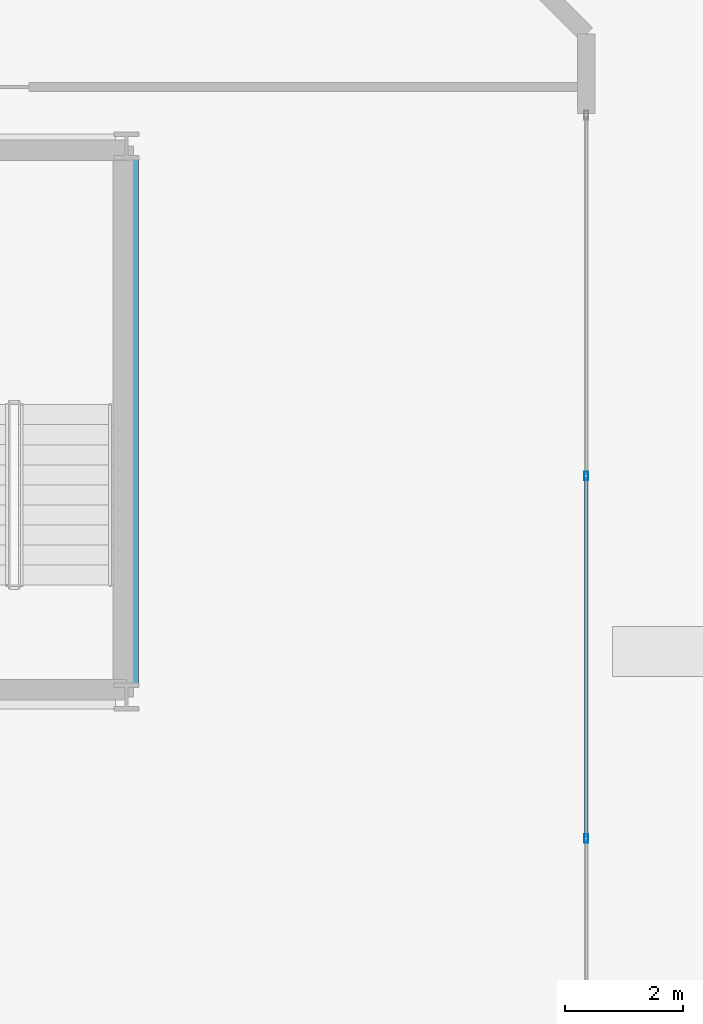
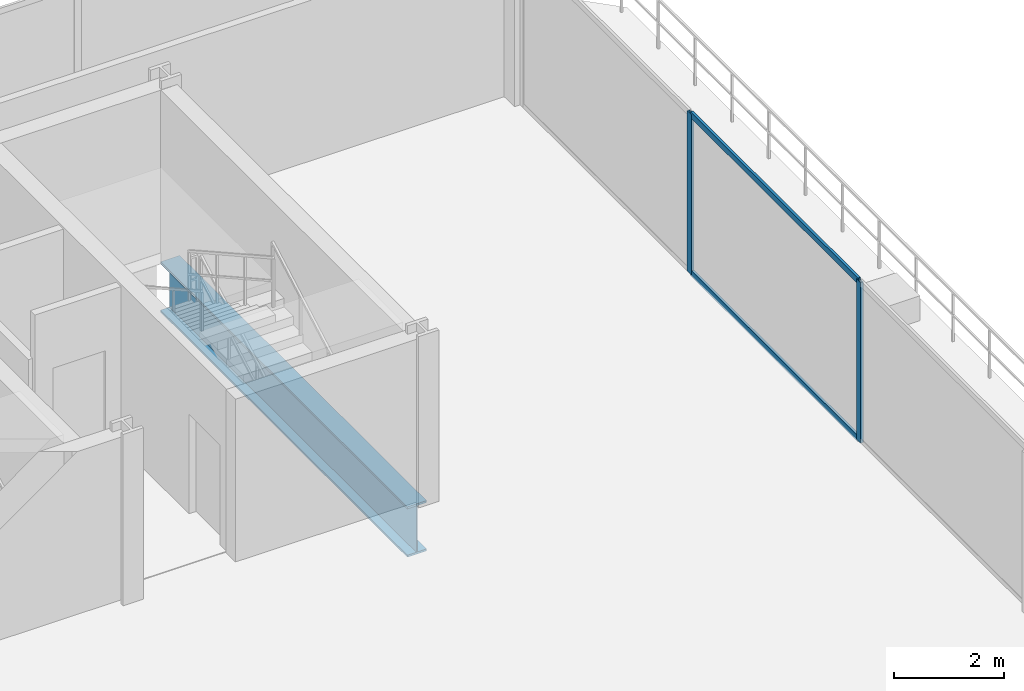
# One storey, part 7 of 16: 4 members, 1 beam, 1 element without a shape of its own.
"""IFC4 building model written with IfcOpenShell, lengths in metres."""

from ifc_helpers import new_model, si_unit, direction, frame, origin, origin_2d, place, context, subcontext, project, spatial, hollow_rectangle, i_section, extrude, material, layer, layer_set, material_profile, profile_set, type_object, element, aggregate, save


model = new_model("IFC4")

# Units and contexts
model_context = context("Model", 3, precision=1e-05, world=origin(), true_north=direction((0.0, 1.0)))
body_context = subcontext(model_context, "Body", "Model", "MODEL_VIEW")
ifc_project = project(units=[si_unit("LENGTHUNIT", "METRE"), si_unit("AREAUNIT", "SQUARE_METRE"), si_unit("VOLUMEUNIT", "CUBIC_METRE"), si_unit("PLANEANGLEUNIT", "RADIAN"), si_unit("MASSUNIT", "GRAM", prefix="KILO")], contexts=[model_context])

# Site, building, storey
site_placement = place(None, origin())
site = spatial("IfcSite", under=ifc_project, at=site_placement, CompositionType="ELEMENT")
building_placement = place(site_placement, origin())
building = spatial("IfcBuilding", under=site, at=building_placement, Name="Zuhayl Quay Hotel", CompositionType="ELEMENT")
storey_placement = place(building_placement, frame((0.0, 0.0, 308.64990234375)))
storey = spatial("IfcBuildingStorey", under=building, at=storey_placement, Name="Crown 4", CompositionType="ELEMENT", Elevation=308.64990234375)

# Beam
ifc_material_1 = material(Name="Steel ASTM A913 Grade 65", Category="steel")
ifc_material_profile_1 = material_profile(ifc_material_1, i_section(OverallWidth=0.404052734375, OverallDepth=1.117919921875, WebThickness=0.026123046875, FlangeThickness=0.044921875, at=origin_2d()), Name="W44X335")
ifc_profile_set_1 = profile_set([ifc_material_profile_1], Name="Steel ASTM A913 Grade 65")
beam_type = type_object("IfcBeamType", Name="BM_TG1_W44X335", PredefinedType="BEAM", material=ifc_profile_set_1)
beam_placement = place(storey_placement, frame((1.60009765625, 25.2900390625, -0.798828125), z_axis=(0.0, 1.0, 0.0), x_axis=(-1.0, 0.0, 0.0)))
element("IfcBeam", 1, at=beam_placement, inside=storey, type_object=beam_type, Name="Crown 4 Floor Beam CR_NS_4_3", PredefinedType="BEAM", context=body_context, shape_type="SweptSolid", body=[
    extrude(i_section(OverallWidth=0.404052734375, OverallDepth=1.117919921875, WebThickness=0.026123046875, FlangeThickness=0.044921875, at=origin_2d()), origin(), (0.0, 0.0, 1.0), 8.969970703125),
])

# Curtain wall, members
ifc_material_2 = material(Name="Anodised Aluminium 6063-T6", Category="aluminium")
ifc_layer = layer(ifc_material_2, 0.159912109375, Name="Anodised Aluminium 6063-T6", Category="aluminium")
ifc_layer_set = layer_set([ifc_layer], Name="Anodised Aluminium 6063-T6")
curtain_wall_type = type_object("IfcCurtainWallType", Name="CW_SYS_CRN", PredefinedType="USERDEFINED", material=ifc_layer_set)
curtain_wall_placement = place(storey_placement, origin())
curtain_wall = element("IfcCurtainWall", 2, at=curtain_wall_placement, inside=storey, type_object=curtain_wall_type, Name="Crown 4 Curtain Wall ENV_CR4_E5_CW1", ObjectType="UNITISED CURTAIN WALL", PredefinedType="USERDEFINED")
ifc_material_3 = material(Name="Black-anodised aluminium 6063-T6", Category="aluminium")
ifc_material_profile_2 = material_profile(ifc_material_3, hollow_rectangle(XDim=0.06005859375, YDim=0.14990234375, WallThickness=0.00341796875, at=origin_2d()), Name="ALU150X60")
ifc_profile_set_2 = profile_set([ifc_material_profile_2], Name="Black-anodised aluminium 6063-T6")
member_type_1 = type_object("IfcMemberType", Name="MB_CW_MUL_150", PredefinedType="MULLION", material=ifc_profile_set_2)
member_1_placement = place(storey_placement, frame((9.39990234375, 28.85009765625, 0.0), z_axis=(0.0, 0.0, 1.0), x_axis=(1.0, 0.0, 0.0)))
member_1 = element("IfcMember", 3, at=member_1_placement, type_object=member_type_1, Name="CW-CRN mullion 2", PredefinedType="MULLION", context=body_context, shape_type="SweptSolid", body=[
    extrude(hollow_rectangle(XDim=0.06005859375, YDim=0.14990234375, WallThickness=0.00341796875, at=origin_2d()), origin(), (0.0, 0.0, 1.0), 3.56005859375),
])
member_2_placement = place(storey_placement, frame((9.39990234375, 22.699951171875, 0.0), z_axis=(0.0, 0.0, 1.0), x_axis=(1.0, 0.0, 0.0)))
member_2 = element("IfcMember", 4, at=member_2_placement, type_object=member_type_1, Name="CW-CRN mullion 3", PredefinedType="MULLION", context=body_context, shape_type="SweptSolid", body=[
    extrude(hollow_rectangle(XDim=0.06005859375, YDim=0.14990234375, WallThickness=0.00341796875, at=origin_2d()), origin(), (0.0, 0.0, 1.0), 3.56005859375),
])
ifc_material_profile_3 = material_profile(ifc_material_3, hollow_rectangle(XDim=0.054931640625, YDim=0.1298828125, WallThickness=0.0029296875, at=origin_2d()), Name="ALU130X55")
ifc_profile_set_3 = profile_set([ifc_material_profile_3], Name="Black-anodised aluminium 6063-T6")
member_type_2 = type_object("IfcMemberType", Name="MB_CW_TRN_130", PredefinedType="USERDEFINED", material=ifc_profile_set_3)
member_3_placement = place(storey_placement, frame((9.39990234375, 28.820068359375, 0.027587890625), z_axis=(0.0, -1.0, 0.0), x_axis=(1.0, 0.0, 0.0)))
member_3 = element("IfcMember", 5, at=member_3_placement, type_object=member_type_2, Name="CW-CRN transom 2.1", ObjectType="TRANSOM", PredefinedType="USERDEFINED", context=body_context, shape_type="SweptSolid", body=[
    extrude(hollow_rectangle(XDim=0.054931640625, YDim=0.1298828125, WallThickness=0.0029296875, at=origin_2d()), origin(), (0.0, 0.0, 1.0), 6.090087890625),
])
member_4_placement = place(storey_placement, frame((9.39990234375, 28.820068359375, 3.53271484375), z_axis=(0.0, -1.0, 0.0), x_axis=(1.0, 0.0, 0.0)))
member_4 = element("IfcMember", 6, at=member_4_placement, type_object=member_type_2, Name="CW-CRN transom 2.2", ObjectType="TRANSOM", PredefinedType="USERDEFINED", context=body_context, shape_type="SweptSolid", body=[
    extrude(hollow_rectangle(XDim=0.054931640625, YDim=0.1298828125, WallThickness=0.0029296875, at=origin_2d()), origin(), (0.0, 0.0, 1.0), 6.090087890625),
])
aggregate(curtain_wall, [member_1, member_2, member_3, member_4])

save(model, "model.ifc")
